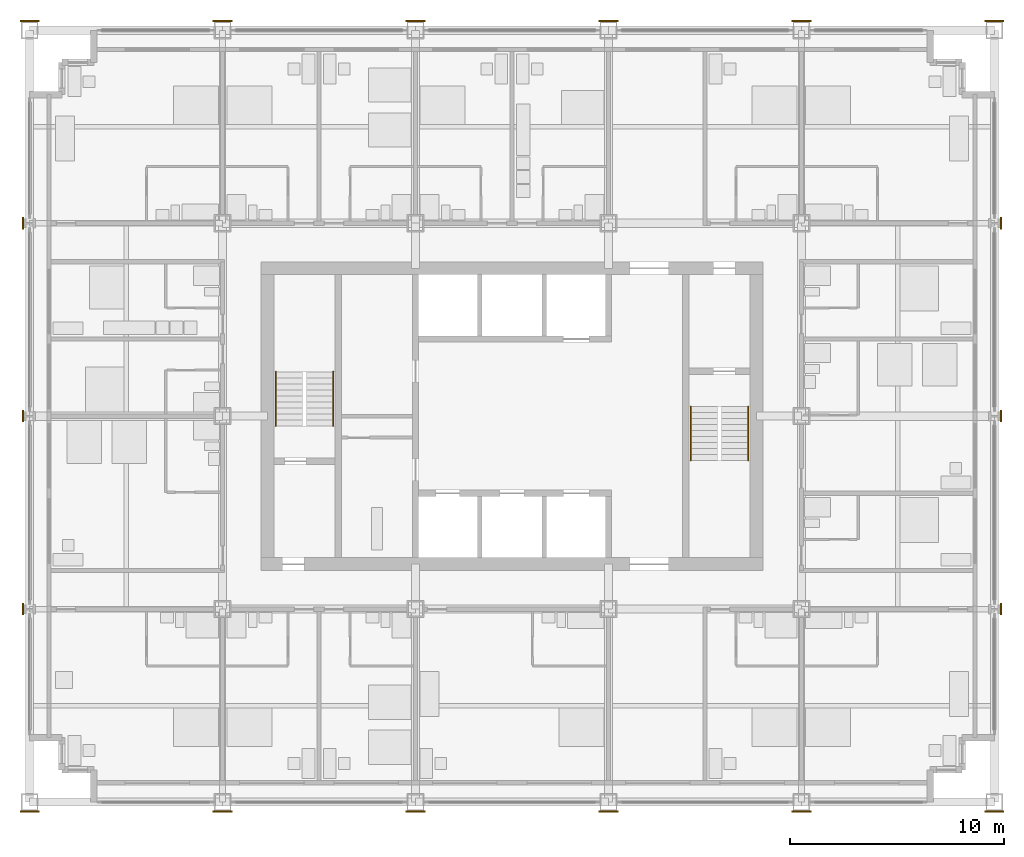
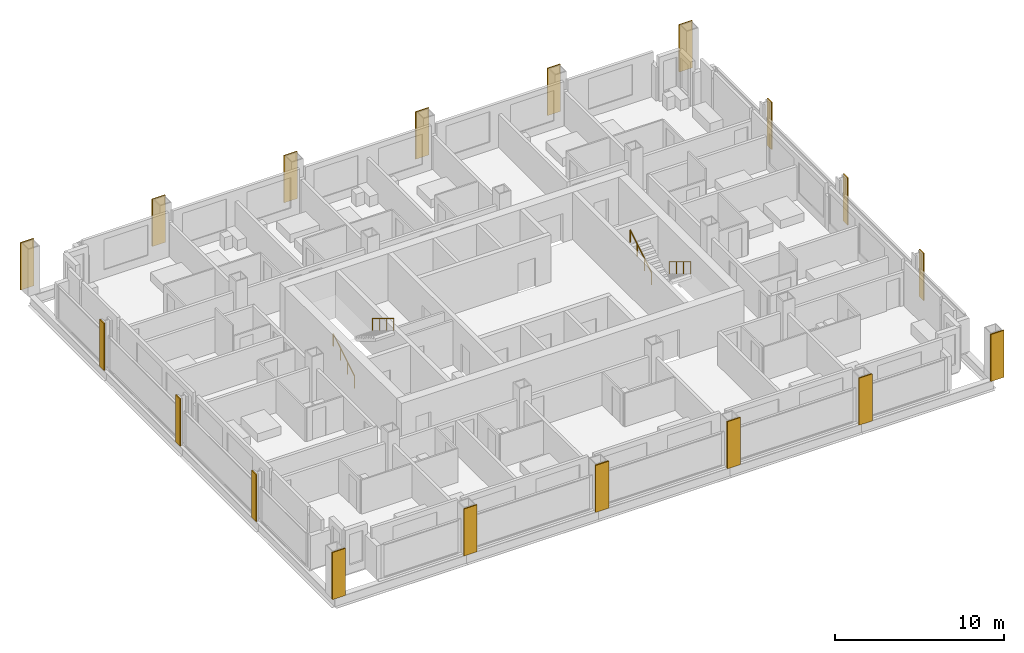
# One storey, part 15 of 17: 18 coverings, 4 railings.
"""IFC4 building model written with IfcOpenShell, lengths in metres."""

from ifc_helpers import new_model, si_unit, direction, frame, origin, origin_2d, place, context, subcontext, project, spatial, rectangle, circle, extrude, material, layer, layer_set, type_object, element, save


model = new_model("IFC4")

# Units and contexts
model_context = context("Model", 3, precision=1e-05, world=origin(), true_north=direction((0.0, 1.0)))
body_context = subcontext(model_context, "Body", "Model", "MODEL_VIEW")
ifc_project = project(units=[si_unit("LENGTHUNIT", "METRE"), si_unit("AREAUNIT", "SQUARE_METRE"), si_unit("VOLUMEUNIT", "CUBIC_METRE"), si_unit("PLANEANGLEUNIT", "RADIAN"), si_unit("MASSUNIT", "GRAM", prefix="KILO")], contexts=[model_context])

# Site, building, storey
site_placement = place(None, origin())
site = spatial("IfcSite", under=ifc_project, at=site_placement, CompositionType="ELEMENT")
building_placement = place(site_placement, origin())
building = spatial("IfcBuilding", under=site, at=building_placement, Name="Loomwork Tower", CompositionType="ELEMENT")
storey_placement = place(building_placement, frame((0.0, 0.0, 145.199951171875)))
storey = spatial("IfcBuildingStorey", under=building, at=storey_placement, Name="L39", CompositionType="ELEMENT", Elevation=145.199951171875)

# Railings
ifc_material_1 = material(Name="Stainless steel handrail", Category="steel")
railing_type = type_object("IfcRailingType", Name="Handrail 900", PredefinedType="HANDRAIL", material=ifc_material_1)
railing_1_placement = place(storey_placement, frame((11.485107421875, 17.550048828125, 0.170166015625)))
element("IfcRailing", 1, at=railing_1_placement, inside=storey, type_object=railing_type, Name="Stair A handrail flight 1 L39", PredefinedType="HANDRAIL", context=body_context, shape_type="SweptSolid", body=[
    extrude(circle(Radius=0.02392578125, at=origin_2d()), frame((0.0, 0.0, 0.8759765625), z_axis=(0.0, 0.854821627497, 0.518921945155), x_axis=(-1.0, 0.0, 0.0)), (0.0, 0.0, 1.0), 2.947998046875),
    extrude(circle(Radius=0.02099609375, at=origin_2d()), origin(), (0.0, 0.0, 1.0), 0.851806640625),
    extrude(circle(Radius=0.02099609375, at=origin_2d()), frame((0.0, 0.840087890625, 0.510009765625)), (0.0, 0.0, 1.0), 0.851806640625),
    extrude(circle(Radius=0.02099609375, at=origin_2d()), frame((0.0, 1.679931640625, 1.019775390625)), (0.0, 0.0, 1.0), 0.851806640625),
    extrude(circle(Radius=0.02099609375, at=origin_2d()), frame((0.0, 2.52001953125, 1.52978515625)), (0.0, 0.0, 1.0), 0.851806640625),
])
railing_2_placement = place(storey_placement, frame((14.1650390625, 20.070068359375, 1.8701171875)))
element("IfcRailing", 2, at=railing_2_placement, inside=storey, type_object=railing_type, Name="Stair A handrail flight 2 L39", PredefinedType="HANDRAIL", context=body_context, shape_type="SweptSolid", body=[
    extrude(circle(Radius=0.02392578125, at=origin_2d()), frame((0.0, 0.0, 0.8759765625), z_axis=(0.0, -0.85478489116, 0.518982456201), x_axis=(1.0, 0.0, 0.0)), (0.0, 0.0, 1.0), 2.9482421875),
    extrude(circle(Radius=0.02099609375, at=origin_2d()), origin(), (0.0, 0.0, 1.0), 0.851806640625),
    extrude(circle(Radius=0.02099609375, at=origin_2d()), frame((0.0, -0.840087890625, 0.510009765625)), (0.0, 0.0, 1.0), 0.851806640625),
    extrude(circle(Radius=0.02099609375, at=origin_2d()), frame((0.0, -1.679931640625, 1.02001953125)), (0.0, 0.0, 1.0), 0.851806640625),
    extrude(circle(Radius=0.02099609375, at=origin_2d()), frame((0.0, -2.52001953125, 1.530029296875)), (0.0, 0.0, 1.0), 0.851806640625),
])
railing_3_placement = place(storey_placement, frame((33.514892578125, 18.449951171875, 0.170166015625)))
element("IfcRailing", 3, at=railing_3_placement, inside=storey, type_object=railing_type, Name="Stair B handrail flight 1 L39", PredefinedType="HANDRAIL", context=body_context, shape_type="SweptSolid", body=[
    extrude(circle(Radius=0.02392578125, at=origin_2d()), frame((0.0, 0.0, 0.8759765625), z_axis=(0.0, -0.854821627497, 0.518921945155), x_axis=(1.0, 0.0, 0.0)), (0.0, 0.0, 1.0), 2.947998046875),
    extrude(circle(Radius=0.02099609375, at=origin_2d()), origin(), (0.0, 0.0, 1.0), 0.851806640625),
    extrude(circle(Radius=0.02099609375, at=origin_2d()), frame((0.0, -0.840087890625, 0.510009765625)), (0.0, 0.0, 1.0), 0.851806640625),
    extrude(circle(Radius=0.02099609375, at=origin_2d()), frame((0.0, -1.679931640625, 1.019775390625)), (0.0, 0.0, 1.0), 0.851806640625),
    extrude(circle(Radius=0.02099609375, at=origin_2d()), frame((0.0, -2.52001953125, 1.52978515625)), (0.0, 0.0, 1.0), 0.851806640625),
])
railing_4_placement = place(storey_placement, frame((30.8349609375, 15.929931640625, 1.8701171875)))
element("IfcRailing", 4, at=railing_4_placement, inside=storey, type_object=railing_type, Name="Stair B handrail flight 2 L39", PredefinedType="HANDRAIL", context=body_context, shape_type="SweptSolid", body=[
    extrude(circle(Radius=0.02392578125, at=origin_2d()), frame((0.0, 0.0, 0.8759765625), z_axis=(0.0, 0.85478489116, 0.518982456201), x_axis=(-1.0, 0.0, 0.0)), (0.0, 0.0, 1.0), 2.9482421875),
    extrude(circle(Radius=0.02099609375, at=origin_2d()), origin(), (0.0, 0.0, 1.0), 0.851806640625),
    extrude(circle(Radius=0.02099609375, at=origin_2d()), frame((0.0, 0.840087890625, 0.510009765625)), (0.0, 0.0, 1.0), 0.851806640625),
    extrude(circle(Radius=0.02099609375, at=origin_2d()), frame((0.0, 1.679931640625, 1.02001953125)), (0.0, 0.0, 1.0), 0.851806640625),
    extrude(circle(Radius=0.02099609375, at=origin_2d()), frame((0.0, 2.52001953125, 1.530029296875)), (0.0, 0.0, 1.0), 0.851806640625),
])

# Coverings
ifc_material_2 = material(Name="Limestone", Category="masonry")
ifc_layer = layer(ifc_material_2, 0.080078125)
ifc_layer_set = layer_set([ifc_layer], Name="Limestone pier facing 80")
covering_type = type_object("IfcCoveringType", Name="Limestone pier facing 80", PredefinedType="CLADDING", material=ifc_layer_set)
covering_1_placement = place(storey_placement, frame((0.0, -0.43994140625, 0.0), z_axis=(0.0, 0.0, 1.0), x_axis=(1.0, 0.0, 0.0)))
element("IfcCovering", 5, at=covering_1_placement, inside=storey, type_object=covering_type, Name="Pier facing D/2 L39", PredefinedType="CLADDING", context=body_context, shape_type="SweptSolid", body=[
    extrude(rectangle(XDim=0.89990234375, YDim=0.080078125, at=origin_2d()), origin(), (0.0, 0.0, 1.0), 3.39990234375),
])
for number, where, z_axis, x_axis, name in (
    (6, (-0.305419921875, 9.0, 0.0), (0.0, 0.0, 1.0), (1.0, 0.0, 0.0), "Pier facing E/2 L39"),
    (7, (-0.305419921875, 18.0, 0.0), (0.0, 0.0, 1.0), (1.0, 0.0, 0.0), "Pier facing F/2 L39"),
    (8, (-0.305419921875, 27.0, 0.0), (0.0, 0.0, 1.0), (1.0, 0.0, 0.0), "Pier facing G/2 L39"),
):
    element("IfcCovering", number, at=place(storey_placement, frame(where, z_axis=z_axis, x_axis=x_axis)), inside=storey, type_object=covering_type, Name=name, PredefinedType="CLADDING", context=body_context, shape_type="SweptSolid", body=[
        extrude(rectangle(XDim=0.080078125, YDim=0.5419921875, at=origin_2d()), origin(), (0.0, 0.0, 1.0), 3.39990234375),
    ])
for number, where, z_axis, x_axis, name in (
    (9, (0.0, 36.43994140625, 0.0), (0.0, 0.0, 1.0), (1.0, 0.0, 0.0), "Pier facing H/2 L39"),
    (10, (9.0, -0.43994140625, 0.0), (0.0, 0.0, 1.0), (1.0, 0.0, 0.0), "Pier facing D/3 L39"),
    (11, (9.0, 36.43994140625, 0.0), (0.0, 0.0, 1.0), (1.0, 0.0, 0.0), "Pier facing H/3 L39"),
    (12, (18.0, -0.43994140625, 0.0), (0.0, 0.0, 1.0), (1.0, 0.0, 0.0), "Pier facing D/4 L39"),
    (13, (18.0, 36.43994140625, 0.0), (0.0, 0.0, 1.0), (1.0, 0.0, 0.0), "Pier facing H/4 L39"),
    (14, (27.0, -0.43994140625, 0.0), (0.0, 0.0, 1.0), (1.0, 0.0, 0.0), "Pier facing D/5 L39"),
    (15, (27.0, 36.43994140625, 0.0), (0.0, 0.0, 1.0), (1.0, 0.0, 0.0), "Pier facing H/5 L39"),
    (16, (36.0, -0.43994140625, 0.0), (0.0, 0.0, 1.0), (1.0, 0.0, 0.0), "Pier facing D/6 L39"),
    (17, (36.0, 36.43994140625, 0.0), (0.0, 0.0, 1.0), (1.0, 0.0, 0.0), "Pier facing H/6 L39"),
    (18, (45.0, -0.43994140625, 0.0), (0.0, 0.0, 1.0), (1.0, 0.0, 0.0), "Pier facing D/7 L39"),
):
    element("IfcCovering", number, at=place(storey_placement, frame(where, z_axis=z_axis, x_axis=x_axis)), inside=storey, type_object=covering_type, Name=name, PredefinedType="CLADDING", context=body_context, shape_type="SweptSolid", body=[
        extrude(rectangle(XDim=0.89990234375, YDim=0.080078125, at=origin_2d()), origin(), (0.0, 0.0, 1.0), 3.39990234375),
    ])
for number, where, z_axis, x_axis, name in (
    (19, (45.305419921875, 9.0, 0.0), (0.0, 0.0, 1.0), (1.0, 0.0, 0.0), "Pier facing E/7 L39"),
    (20, (45.305419921875, 18.0, 0.0), (0.0, 0.0, 1.0), (1.0, 0.0, 0.0), "Pier facing F/7 L39"),
    (21, (45.305419921875, 27.0, 0.0), (0.0, 0.0, 1.0), (1.0, 0.0, 0.0), "Pier facing G/7 L39"),
):
    element("IfcCovering", number, at=place(storey_placement, frame(where, z_axis=z_axis, x_axis=x_axis)), inside=storey, type_object=covering_type, Name=name, PredefinedType="CLADDING", context=body_context, shape_type="SweptSolid", body=[
        extrude(rectangle(XDim=0.080078125, YDim=0.5419921875, at=origin_2d()), origin(), (0.0, 0.0, 1.0), 3.39990234375),
    ])
covering_2_placement = place(storey_placement, frame((45.0, 36.43994140625, 0.0), z_axis=(0.0, 0.0, 1.0), x_axis=(1.0, 0.0, 0.0)))
element("IfcCovering", 22, at=covering_2_placement, inside=storey, type_object=covering_type, Name="Pier facing H/7 L39", PredefinedType="CLADDING", context=body_context, shape_type="SweptSolid", body=[
    extrude(rectangle(XDim=0.89990234375, YDim=0.080078125, at=origin_2d()), origin(), (0.0, 0.0, 1.0), 3.39990234375),
])

save(model, "model.ifc")
